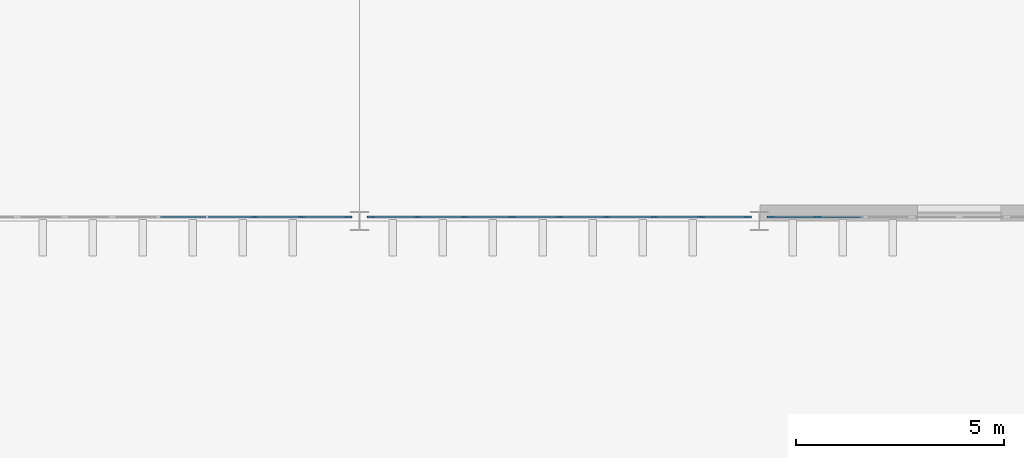
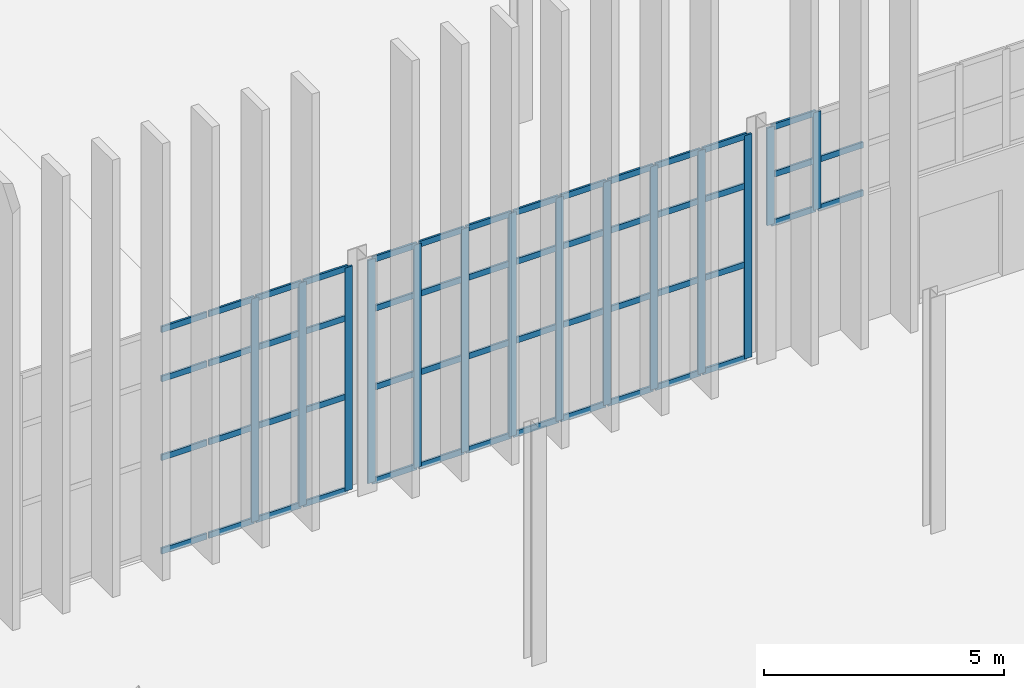
# One storey, part 39 of 139: 67 members, 3 elements without a shape of their own.
"""IFC4 building model written with IfcOpenShell, lengths in metres."""

from ifc_helpers import new_model, si_unit, direction, frame, origin, origin_2d, place, context, subcontext, project, spatial, rectangle, extrude, material, layer, layer_set, material_profile, profile_set, type_object, element, aggregate, save


model = new_model("IFC4")

# Units and contexts
model_context = context("Model", 3, precision=1e-05, world=origin(), true_north=direction((0.0, 1.0)))
body_context = subcontext(model_context, "Body", "Model", "MODEL_VIEW")
ifc_project = project(units=[si_unit("LENGTHUNIT", "METRE"), si_unit("AREAUNIT", "SQUARE_METRE"), si_unit("VOLUMEUNIT", "CUBIC_METRE"), si_unit("PLANEANGLEUNIT", "RADIAN"), si_unit("MASSUNIT", "GRAM", prefix="KILO")], contexts=[model_context])

# Site, building, storey
site_placement = place(None, origin())
site = spatial("IfcSite", under=ifc_project, at=site_placement, CompositionType="ELEMENT")
building_placement = place(site_placement, origin())
building = spatial("IfcBuilding", under=site, at=building_placement, Name="Yeouljin Market Hall", CompositionType="ELEMENT")
storey_placement = place(building_placement, origin())
storey = spatial("IfcBuildingStorey", under=building, at=storey_placement, Name="L00", CompositionType="ELEMENT", Elevation=0.0)

# Curtain wall, members
ifc_material_1 = material(Name="Thermally Broken Aluminium", Category="aluminium")
ifc_layer = layer(ifc_material_1, 0.179931640625)
ifc_layer_set = layer_set([ifc_layer], Name="Thermally Broken Aluminium")
curtain_wall_type = type_object("IfcCurtainWallType", Name="CW_HallNave_System", PredefinedType="USERDEFINED", material=ifc_layer_set)
curtain_wall_1_placement = place(storey_placement, origin())
curtain_wall_1 = element("IfcCurtainWall", 1, at=curtain_wall_1_placement, inside=storey, type_object=curtain_wall_type, Name="Curtain wall CW-V1S-L00-08", ObjectType="CURTAIN WALL", PredefinedType="USERDEFINED")
ifc_material_2 = material(Name="Thermally Broken Aluminium", Category="aluminium")
ifc_material_profile_1 = material_profile(ifc_material_2, rectangle(XDim=0.048095703125, YDim=0.179931640625, at=origin_2d()), Name="CW-MULL-48x180")
ifc_profile_set_1 = profile_set([ifc_material_profile_1], Name="Thermally Broken Aluminium")
member_type_1 = type_object("IfcMemberType", Name="CWMullion_48x180", PredefinedType="MULLION", material=ifc_profile_set_1)
member_1_placement = place(storey_placement, frame((111.926025390625, 36.10009765625, 0.0), z_axis=(0.0, 0.0, 1.0), x_axis=(0.0, -1.0, 0.0)))
member_1 = element("IfcMember", 2, at=member_1_placement, type_object=member_type_1, Name="CW-01 mullion 1", PredefinedType="MULLION", context=body_context, shape_type="SweptSolid", body=[
    extrude(rectangle(XDim=0.048095703125, YDim=0.179931640625, at=origin_2d()), origin(), (0.0, 0.0, 1.0), 5.679931640625),
])
member_2_placement = place(storey_placement, frame((110.8125, 36.10009765625, 0.0), z_axis=(0.0, 0.0, 1.0), x_axis=(0.0, -1.0, 0.0)))
member_2 = element("IfcMember", 3, at=member_2_placement, type_object=member_type_1, Name="CW-01 mullion 2", PredefinedType="MULLION", context=body_context, shape_type="SweptSolid", body=[
    extrude(rectangle(XDim=0.048095703125, YDim=0.179931640625, at=origin_2d()), origin(), (0.0, 0.0, 1.0), 5.679931640625),
])
member_3_placement = place(storey_placement, frame((109.675048828125, 36.10009765625, 0.0), z_axis=(0.0, 0.0, 1.0), x_axis=(0.0, -1.0, 0.0)))
member_3 = element("IfcMember", 4, at=member_3_placement, type_object=member_type_1, Name="CW-01 mullion 3", PredefinedType="MULLION", context=body_context, shape_type="SweptSolid", body=[
    extrude(rectangle(XDim=0.048095703125, YDim=0.179931640625, at=origin_2d()), origin(), (0.0, 0.0, 1.0), 5.679931640625),
])

curtain_wall_2_placement = place(storey_placement, origin())
curtain_wall_2 = element("IfcCurtainWall", 5, at=curtain_wall_2_placement, inside=storey, type_object=curtain_wall_type, Name="Curtain wall CW-V1S-L00-09", ObjectType="CURTAIN WALL", PredefinedType="USERDEFINED")
member_4_placement = place(storey_placement, frame((121.52587890625, 36.10009765625, 0.0), z_axis=(0.0, 0.0, 1.0), x_axis=(0.0, -1.0, 0.0)))
member_4 = element("IfcMember", 6, at=member_4_placement, type_object=member_type_1, Name="CW-01 mullion 1", PredefinedType="MULLION", context=body_context, shape_type="SweptSolid", body=[
    extrude(rectangle(XDim=0.048095703125, YDim=0.179931640625, at=origin_2d()), origin(), (0.0, 0.0, 1.0), 5.679931640625),
])
member_5_placement = place(storey_placement, frame((120.41259765625, 36.10009765625, 0.0), z_axis=(0.0, 0.0, 1.0), x_axis=(0.0, -1.0, 0.0)))
member_5 = element("IfcMember", 7, at=member_5_placement, type_object=member_type_1, Name="CW-01 mullion 2", PredefinedType="MULLION", context=body_context, shape_type="SweptSolid", body=[
    extrude(rectangle(XDim=0.048095703125, YDim=0.179931640625, at=origin_2d()), origin(), (0.0, 0.0, 1.0), 5.679931640625),
])
member_6_placement = place(storey_placement, frame((119.27490234375, 36.10009765625, 0.0), z_axis=(0.0, 0.0, 1.0), x_axis=(0.0, -1.0, 0.0)))
member_6 = element("IfcMember", 8, at=member_6_placement, type_object=member_type_1, Name="CW-01 mullion 3", PredefinedType="MULLION", context=body_context, shape_type="SweptSolid", body=[
    extrude(rectangle(XDim=0.048095703125, YDim=0.179931640625, at=origin_2d()), origin(), (0.0, 0.0, 1.0), 5.679931640625),
])
member_7_placement = place(storey_placement, frame((118.137451171875, 36.10009765625, 0.0), z_axis=(0.0, 0.0, 1.0), x_axis=(0.0, -1.0, 0.0)))
member_7 = element("IfcMember", 9, at=member_7_placement, type_object=member_type_1, Name="CW-01 mullion 4", PredefinedType="MULLION", context=body_context, shape_type="SweptSolid", body=[
    extrude(rectangle(XDim=0.048095703125, YDim=0.179931640625, at=origin_2d()), origin(), (0.0, 0.0, 1.0), 5.679931640625),
])
member_8_placement = place(storey_placement, frame((117.0, 36.10009765625, 0.0), z_axis=(0.0, 0.0, 1.0), x_axis=(0.0, -1.0, 0.0)))
member_8 = element("IfcMember", 10, at=member_8_placement, type_object=member_type_1, Name="CW-01 mullion 5", PredefinedType="MULLION", context=body_context, shape_type="SweptSolid", body=[
    extrude(rectangle(XDim=0.048095703125, YDim=0.179931640625, at=origin_2d()), origin(), (0.0, 0.0, 1.0), 5.679931640625),
])
member_9_placement = place(storey_placement, frame((115.862548828125, 36.10009765625, 0.0), z_axis=(0.0, 0.0, 1.0), x_axis=(0.0, -1.0, 0.0)))
member_9 = element("IfcMember", 11, at=member_9_placement, type_object=member_type_1, Name="CW-01 mullion 6", PredefinedType="MULLION", context=body_context, shape_type="SweptSolid", body=[
    extrude(rectangle(XDim=0.048095703125, YDim=0.179931640625, at=origin_2d()), origin(), (0.0, 0.0, 1.0), 5.679931640625),
])
member_10_placement = place(storey_placement, frame((114.72509765625, 36.10009765625, 0.0), z_axis=(0.0, 0.0, 1.0), x_axis=(0.0, -1.0, 0.0)))
member_10 = element("IfcMember", 12, at=member_10_placement, type_object=member_type_1, Name="CW-01 mullion 7", PredefinedType="MULLION", context=body_context, shape_type="SweptSolid", body=[
    extrude(rectangle(XDim=0.048095703125, YDim=0.179931640625, at=origin_2d()), origin(), (0.0, 0.0, 1.0), 5.679931640625),
])
member_11_placement = place(storey_placement, frame((113.58740234375, 36.10009765625, 0.0), z_axis=(0.0, 0.0, 1.0), x_axis=(0.0, -1.0, 0.0)))
member_11 = element("IfcMember", 13, at=member_11_placement, type_object=member_type_1, Name="CW-01 mullion 8", PredefinedType="MULLION", context=body_context, shape_type="SweptSolid", body=[
    extrude(rectangle(XDim=0.048095703125, YDim=0.179931640625, at=origin_2d()), origin(), (0.0, 0.0, 1.0), 5.679931640625),
])
member_12_placement = place(storey_placement, frame((112.47412109375, 36.10009765625, 0.0), z_axis=(0.0, 0.0, 1.0), x_axis=(0.0, -1.0, 0.0)))
member_12 = element("IfcMember", 14, at=member_12_placement, type_object=member_type_1, Name="CW-01 mullion 9", PredefinedType="MULLION", context=body_context, shape_type="SweptSolid", body=[
    extrude(rectangle(XDim=0.048095703125, YDim=0.179931640625, at=origin_2d()), origin(), (0.0, 0.0, 1.0), 5.679931640625),
])

curtain_wall_3_placement = place(storey_placement, origin())
curtain_wall_3 = element("IfcCurtainWall", 15, at=curtain_wall_3_placement, inside=storey, type_object=curtain_wall_type, Name="Curtain wall CW-V1S-L00-10", ObjectType="CURTAIN WALL", PredefinedType="USERDEFINED")
member_13_placement = place(storey_placement, frame((123.1875, 36.10009765625, 3.199951171875), z_axis=(0.0, 0.0, 1.0), x_axis=(0.0, -1.0, 0.0)))
member_13 = element("IfcMember", 16, at=member_13_placement, type_object=member_type_1, Name="CW-01 mullion 8", PredefinedType="MULLION", context=body_context, shape_type="SweptSolid", body=[
    extrude(rectangle(XDim=0.048095703125, YDim=0.179931640625, at=origin_2d()), origin(), (0.0, 0.0, 1.0), 2.47998046875),
])
member_14_placement = place(storey_placement, frame((122.073974609375, 36.10009765625, 3.199951171875), z_axis=(0.0, 0.0, 1.0), x_axis=(0.0, -1.0, 0.0)))
member_14 = element("IfcMember", 17, at=member_14_placement, type_object=member_type_1, Name="CW-01 mullion 9", PredefinedType="MULLION", context=body_context, shape_type="SweptSolid", body=[
    extrude(rectangle(XDim=0.048095703125, YDim=0.179931640625, at=origin_2d()), origin(), (0.0, 0.0, 1.0), 2.47998046875),
])

# Member
ifc_material_3 = material(Name="Thermally Broken Aluminium", Category="aluminium")
ifc_material_profile_2 = material_profile(ifc_material_3, rectangle(XDim=0.048095703125, YDim=0.14990234375, at=origin_2d()), Name="CW-TRAN-48x150")
ifc_profile_set_2 = profile_set([ifc_material_profile_2], Name="Thermally Broken Aluminium")
member_type_2 = type_object("IfcMemberType", Name="CWTransom_48x150", PredefinedType="USERDEFINED", material=ifc_profile_set_2)
member_15_placement = place(storey_placement, frame((111.902099609375, 36.10009765625, 0.02392578125), z_axis=(-1.0, 0.0, 0.0), x_axis=(0.0, -1.0, 0.0)))
member_15 = element("IfcMember", 18, at=member_15_placement, type_object=member_type_2, Name="CW-01 transom 1.1", ObjectType="TRANSOM", PredefinedType="USERDEFINED", context=body_context, shape_type="SweptSolid", body=[
    extrude(rectangle(XDim=0.048095703125, YDim=0.14990234375, at=origin_2d()), origin(), (0.0, 0.0, 1.0), 1.065673828125),
])

member_16_placement = place(storey_placement, frame((111.902099609375, 36.10009765625, 2.39990234375), z_axis=(-1.0, 0.0, 0.0), x_axis=(0.0, -1.0, 0.0)))
member_16 = element("IfcMember", 19, at=member_16_placement, type_object=member_type_2, Name="CW-01 transom 1.2", ObjectType="TRANSOM", PredefinedType="USERDEFINED", context=body_context, shape_type="SweptSolid", body=[
    extrude(rectangle(XDim=0.048095703125, YDim=0.14990234375, at=origin_2d()), origin(), (0.0, 0.0, 1.0), 1.065673828125),
])

member_17_placement = place(storey_placement, frame((111.902099609375, 36.10009765625, 4.39990234375), z_axis=(-1.0, 0.0, 0.0), x_axis=(0.0, -1.0, 0.0)))
member_17 = element("IfcMember", 20, at=member_17_placement, type_object=member_type_2, Name="CW-01 transom 1.3", ObjectType="TRANSOM", PredefinedType="USERDEFINED", context=body_context, shape_type="SweptSolid", body=[
    extrude(rectangle(XDim=0.048095703125, YDim=0.14990234375, at=origin_2d()), origin(), (0.0, 0.0, 1.0), 1.065673828125),
])

member_18_placement = place(storey_placement, frame((111.902099609375, 36.10009765625, 5.656005859375), z_axis=(-1.0, 0.0, 0.0), x_axis=(0.0, -1.0, 0.0)))
member_18 = element("IfcMember", 21, at=member_18_placement, type_object=member_type_2, Name="CW-01 transom 1.4", ObjectType="TRANSOM", PredefinedType="USERDEFINED", context=body_context, shape_type="SweptSolid", body=[
    extrude(rectangle(XDim=0.048095703125, YDim=0.14990234375, at=origin_2d()), origin(), (0.0, 0.0, 1.0), 1.065673828125),
])

member_19_placement = place(storey_placement, frame((110.78857421875, 36.10009765625, 0.02392578125), z_axis=(-1.0, 0.0, 0.0), x_axis=(0.0, -1.0, 0.0)))
member_19 = element("IfcMember", 22, at=member_19_placement, type_object=member_type_2, Name="CW-01 transom 2.1", ObjectType="TRANSOM", PredefinedType="USERDEFINED", context=body_context, shape_type="SweptSolid", body=[
    extrude(rectangle(XDim=0.048095703125, YDim=0.14990234375, at=origin_2d()), origin(), (0.0, 0.0, 1.0), 1.089599609375),
])

member_20_placement = place(storey_placement, frame((110.78857421875, 36.10009765625, 2.39990234375), z_axis=(-1.0, 0.0, 0.0), x_axis=(0.0, -1.0, 0.0)))
member_20 = element("IfcMember", 23, at=member_20_placement, type_object=member_type_2, Name="CW-01 transom 2.2", ObjectType="TRANSOM", PredefinedType="USERDEFINED", context=body_context, shape_type="SweptSolid", body=[
    extrude(rectangle(XDim=0.048095703125, YDim=0.14990234375, at=origin_2d()), origin(), (0.0, 0.0, 1.0), 1.089599609375),
])

member_21_placement = place(storey_placement, frame((110.78857421875, 36.10009765625, 4.39990234375), z_axis=(-1.0, 0.0, 0.0), x_axis=(0.0, -1.0, 0.0)))
member_21 = element("IfcMember", 24, at=member_21_placement, type_object=member_type_2, Name="CW-01 transom 2.3", ObjectType="TRANSOM", PredefinedType="USERDEFINED", context=body_context, shape_type="SweptSolid", body=[
    extrude(rectangle(XDim=0.048095703125, YDim=0.14990234375, at=origin_2d()), origin(), (0.0, 0.0, 1.0), 1.089599609375),
])

member_22_placement = place(storey_placement, frame((110.78857421875, 36.10009765625, 5.656005859375), z_axis=(-1.0, 0.0, 0.0), x_axis=(0.0, -1.0, 0.0)))
member_22 = element("IfcMember", 25, at=member_22_placement, type_object=member_type_2, Name="CW-01 transom 2.4", ObjectType="TRANSOM", PredefinedType="USERDEFINED", context=body_context, shape_type="SweptSolid", body=[
    extrude(rectangle(XDim=0.048095703125, YDim=0.14990234375, at=origin_2d()), origin(), (0.0, 0.0, 1.0), 1.089599609375),
])

member_23_placement = place(storey_placement, frame((109.65087890625, 36.10009765625, 0.02392578125), z_axis=(-1.0, 0.0, 0.0), x_axis=(0.0, -1.0, 0.0)))
member_23 = element("IfcMember", 26, at=member_23_placement, type_object=member_type_2, Name="CW-01 transom 3.1", ObjectType="TRANSOM", PredefinedType="USERDEFINED", context=body_context, shape_type="SweptSolid", body=[
    extrude(rectangle(XDim=0.048095703125, YDim=0.14990234375, at=origin_2d()), origin(), (0.0, 0.0, 1.0), 1.08935546875),
])

member_24_placement = place(storey_placement, frame((109.65087890625, 36.10009765625, 2.39990234375), z_axis=(-1.0, 0.0, 0.0), x_axis=(0.0, -1.0, 0.0)))
member_24 = element("IfcMember", 27, at=member_24_placement, type_object=member_type_2, Name="CW-01 transom 3.2", ObjectType="TRANSOM", PredefinedType="USERDEFINED", context=body_context, shape_type="SweptSolid", body=[
    extrude(rectangle(XDim=0.048095703125, YDim=0.14990234375, at=origin_2d()), origin(), (0.0, 0.0, 1.0), 1.08935546875),
])

member_25_placement = place(storey_placement, frame((109.65087890625, 36.10009765625, 4.39990234375), z_axis=(-1.0, 0.0, 0.0), x_axis=(0.0, -1.0, 0.0)))
member_25 = element("IfcMember", 28, at=member_25_placement, type_object=member_type_2, Name="CW-01 transom 3.3", ObjectType="TRANSOM", PredefinedType="USERDEFINED", context=body_context, shape_type="SweptSolid", body=[
    extrude(rectangle(XDim=0.048095703125, YDim=0.14990234375, at=origin_2d()), origin(), (0.0, 0.0, 1.0), 1.08935546875),
])

member_26_placement = place(storey_placement, frame((109.65087890625, 36.10009765625, 5.656005859375), z_axis=(-1.0, 0.0, 0.0), x_axis=(0.0, -1.0, 0.0)))
member_26 = element("IfcMember", 29, at=member_26_placement, type_object=member_type_2, Name="CW-01 transom 3.4", ObjectType="TRANSOM", PredefinedType="USERDEFINED", context=body_context, shape_type="SweptSolid", body=[
    extrude(rectangle(XDim=0.048095703125, YDim=0.14990234375, at=origin_2d()), origin(), (0.0, 0.0, 1.0), 1.08935546875),
])

member_27_placement = place(storey_placement, frame((108.513427734375, 36.10009765625, 0.02392578125), z_axis=(-1.0, 0.0, 0.0), x_axis=(0.0, -1.0, 0.0)))
member_27 = element("IfcMember", 30, at=member_27_placement, type_object=member_type_2, Name="CW-01 transom 4.1", ObjectType="TRANSOM", PredefinedType="USERDEFINED", context=body_context, shape_type="SweptSolid", body=[
    extrude(rectangle(XDim=0.048095703125, YDim=0.14990234375, at=origin_2d()), origin(), (0.0, 0.0, 1.0), 1.08935546875),
])

member_28_placement = place(storey_placement, frame((108.513427734375, 36.10009765625, 2.39990234375), z_axis=(-1.0, 0.0, 0.0), x_axis=(0.0, -1.0, 0.0)))
member_28 = element("IfcMember", 31, at=member_28_placement, type_object=member_type_2, Name="CW-01 transom 4.2", ObjectType="TRANSOM", PredefinedType="USERDEFINED", context=body_context, shape_type="SweptSolid", body=[
    extrude(rectangle(XDim=0.048095703125, YDim=0.14990234375, at=origin_2d()), origin(), (0.0, 0.0, 1.0), 1.08935546875),
])

member_29_placement = place(storey_placement, frame((108.513427734375, 36.10009765625, 4.39990234375), z_axis=(-1.0, 0.0, 0.0), x_axis=(0.0, -1.0, 0.0)))
member_29 = element("IfcMember", 32, at=member_29_placement, type_object=member_type_2, Name="CW-01 transom 4.3", ObjectType="TRANSOM", PredefinedType="USERDEFINED", context=body_context, shape_type="SweptSolid", body=[
    extrude(rectangle(XDim=0.048095703125, YDim=0.14990234375, at=origin_2d()), origin(), (0.0, 0.0, 1.0), 1.08935546875),
])

member_30_placement = place(storey_placement, frame((108.513427734375, 36.10009765625, 5.656005859375), z_axis=(-1.0, 0.0, 0.0), x_axis=(0.0, -1.0, 0.0)))
member_30 = element("IfcMember", 33, at=member_30_placement, type_object=member_type_2, Name="CW-01 transom 4.4", ObjectType="TRANSOM", PredefinedType="USERDEFINED", context=body_context, shape_type="SweptSolid", body=[
    extrude(rectangle(XDim=0.048095703125, YDim=0.14990234375, at=origin_2d()), origin(), (0.0, 0.0, 1.0), 1.08935546875),
])

aggregate(curtain_wall_1, [member_1, member_2, member_3, member_15, member_16, member_17, member_18, member_19, member_20, member_21, member_22, member_23, member_24, member_25, member_26, member_27, member_28, member_29, member_30])

member_31_placement = place(storey_placement, frame((121.501953125, 36.10009765625, 0.02392578125), z_axis=(-1.0, 0.0, 0.0), x_axis=(0.0, -1.0, 0.0)))
member_31 = element("IfcMember", 34, at=member_31_placement, type_object=member_type_2, Name="CW-01 transom 1.1", ObjectType="TRANSOM", PredefinedType="USERDEFINED", context=body_context, shape_type="SweptSolid", body=[
    extrude(rectangle(XDim=0.048095703125, YDim=0.14990234375, at=origin_2d()), origin(), (0.0, 0.0, 1.0), 1.0654296875),
])

member_32_placement = place(storey_placement, frame((121.501953125, 36.10009765625, 2.39990234375), z_axis=(-1.0, 0.0, 0.0), x_axis=(0.0, -1.0, 0.0)))
member_32 = element("IfcMember", 35, at=member_32_placement, type_object=member_type_2, Name="CW-01 transom 1.2", ObjectType="TRANSOM", PredefinedType="USERDEFINED", context=body_context, shape_type="SweptSolid", body=[
    extrude(rectangle(XDim=0.048095703125, YDim=0.14990234375, at=origin_2d()), origin(), (0.0, 0.0, 1.0), 1.0654296875),
])

member_33_placement = place(storey_placement, frame((121.501953125, 36.10009765625, 4.39990234375), z_axis=(-1.0, 0.0, 0.0), x_axis=(0.0, -1.0, 0.0)))
member_33 = element("IfcMember", 36, at=member_33_placement, type_object=member_type_2, Name="CW-01 transom 1.3", ObjectType="TRANSOM", PredefinedType="USERDEFINED", context=body_context, shape_type="SweptSolid", body=[
    extrude(rectangle(XDim=0.048095703125, YDim=0.14990234375, at=origin_2d()), origin(), (0.0, 0.0, 1.0), 1.0654296875),
])

member_34_placement = place(storey_placement, frame((121.501953125, 36.10009765625, 5.656005859375), z_axis=(-1.0, 0.0, 0.0), x_axis=(0.0, -1.0, 0.0)))
member_34 = element("IfcMember", 37, at=member_34_placement, type_object=member_type_2, Name="CW-01 transom 1.4", ObjectType="TRANSOM", PredefinedType="USERDEFINED", context=body_context, shape_type="SweptSolid", body=[
    extrude(rectangle(XDim=0.048095703125, YDim=0.14990234375, at=origin_2d()), origin(), (0.0, 0.0, 1.0), 1.0654296875),
])

member_35_placement = place(storey_placement, frame((120.388427734375, 36.10009765625, 0.02392578125), z_axis=(-1.0, 0.0, 0.0), x_axis=(0.0, -1.0, 0.0)))
member_35 = element("IfcMember", 38, at=member_35_placement, type_object=member_type_2, Name="CW-01 transom 2.1", ObjectType="TRANSOM", PredefinedType="USERDEFINED", context=body_context, shape_type="SweptSolid", body=[
    extrude(rectangle(XDim=0.048095703125, YDim=0.14990234375, at=origin_2d()), origin(), (0.0, 0.0, 1.0), 1.08935546875),
])

member_36_placement = place(storey_placement, frame((120.388427734375, 36.10009765625, 2.39990234375), z_axis=(-1.0, 0.0, 0.0), x_axis=(0.0, -1.0, 0.0)))
member_36 = element("IfcMember", 39, at=member_36_placement, type_object=member_type_2, Name="CW-01 transom 2.2", ObjectType="TRANSOM", PredefinedType="USERDEFINED", context=body_context, shape_type="SweptSolid", body=[
    extrude(rectangle(XDim=0.048095703125, YDim=0.14990234375, at=origin_2d()), origin(), (0.0, 0.0, 1.0), 1.08935546875),
])

member_37_placement = place(storey_placement, frame((120.388427734375, 36.10009765625, 4.39990234375), z_axis=(-1.0, 0.0, 0.0), x_axis=(0.0, -1.0, 0.0)))
member_37 = element("IfcMember", 40, at=member_37_placement, type_object=member_type_2, Name="CW-01 transom 2.3", ObjectType="TRANSOM", PredefinedType="USERDEFINED", context=body_context, shape_type="SweptSolid", body=[
    extrude(rectangle(XDim=0.048095703125, YDim=0.14990234375, at=origin_2d()), origin(), (0.0, 0.0, 1.0), 1.08935546875),
])

member_38_placement = place(storey_placement, frame((120.388427734375, 36.10009765625, 5.656005859375), z_axis=(-1.0, 0.0, 0.0), x_axis=(0.0, -1.0, 0.0)))
member_38 = element("IfcMember", 41, at=member_38_placement, type_object=member_type_2, Name="CW-01 transom 2.4", ObjectType="TRANSOM", PredefinedType="USERDEFINED", context=body_context, shape_type="SweptSolid", body=[
    extrude(rectangle(XDim=0.048095703125, YDim=0.14990234375, at=origin_2d()), origin(), (0.0, 0.0, 1.0), 1.08935546875),
])

member_39_placement = place(storey_placement, frame((119.2509765625, 36.10009765625, 0.02392578125), z_axis=(-1.0, 0.0, 0.0), x_axis=(0.0, -1.0, 0.0)))
member_39 = element("IfcMember", 42, at=member_39_placement, type_object=member_type_2, Name="CW-01 transom 3.1", ObjectType="TRANSOM", PredefinedType="USERDEFINED", context=body_context, shape_type="SweptSolid", body=[
    extrude(rectangle(XDim=0.048095703125, YDim=0.14990234375, at=origin_2d()), origin(), (0.0, 0.0, 1.0), 1.08935546875),
])

member_40_placement = place(storey_placement, frame((119.2509765625, 36.10009765625, 2.39990234375), z_axis=(-1.0, 0.0, 0.0), x_axis=(0.0, -1.0, 0.0)))
member_40 = element("IfcMember", 43, at=member_40_placement, type_object=member_type_2, Name="CW-01 transom 3.2", ObjectType="TRANSOM", PredefinedType="USERDEFINED", context=body_context, shape_type="SweptSolid", body=[
    extrude(rectangle(XDim=0.048095703125, YDim=0.14990234375, at=origin_2d()), origin(), (0.0, 0.0, 1.0), 1.08935546875),
])

member_41_placement = place(storey_placement, frame((119.2509765625, 36.10009765625, 4.39990234375), z_axis=(-1.0, 0.0, 0.0), x_axis=(0.0, -1.0, 0.0)))
member_41 = element("IfcMember", 44, at=member_41_placement, type_object=member_type_2, Name="CW-01 transom 3.3", ObjectType="TRANSOM", PredefinedType="USERDEFINED", context=body_context, shape_type="SweptSolid", body=[
    extrude(rectangle(XDim=0.048095703125, YDim=0.14990234375, at=origin_2d()), origin(), (0.0, 0.0, 1.0), 1.08935546875),
])

member_42_placement = place(storey_placement, frame((119.2509765625, 36.10009765625, 5.656005859375), z_axis=(-1.0, 0.0, 0.0), x_axis=(0.0, -1.0, 0.0)))
member_42 = element("IfcMember", 45, at=member_42_placement, type_object=member_type_2, Name="CW-01 transom 3.4", ObjectType="TRANSOM", PredefinedType="USERDEFINED", context=body_context, shape_type="SweptSolid", body=[
    extrude(rectangle(XDim=0.048095703125, YDim=0.14990234375, at=origin_2d()), origin(), (0.0, 0.0, 1.0), 1.08935546875),
])

member_43_placement = place(storey_placement, frame((118.113525390625, 36.10009765625, 0.02392578125), z_axis=(-1.0, 0.0, 0.0), x_axis=(0.0, -1.0, 0.0)))
member_43 = element("IfcMember", 46, at=member_43_placement, type_object=member_type_2, Name="CW-01 transom 4.1", ObjectType="TRANSOM", PredefinedType="USERDEFINED", context=body_context, shape_type="SweptSolid", body=[
    extrude(rectangle(XDim=0.048095703125, YDim=0.14990234375, at=origin_2d()), origin(), (0.0, 0.0, 1.0), 1.089599609375),
])

member_44_placement = place(storey_placement, frame((118.113525390625, 36.10009765625, 2.39990234375), z_axis=(-1.0, 0.0, 0.0), x_axis=(0.0, -1.0, 0.0)))
member_44 = element("IfcMember", 47, at=member_44_placement, type_object=member_type_2, Name="CW-01 transom 4.2", ObjectType="TRANSOM", PredefinedType="USERDEFINED", context=body_context, shape_type="SweptSolid", body=[
    extrude(rectangle(XDim=0.048095703125, YDim=0.14990234375, at=origin_2d()), origin(), (0.0, 0.0, 1.0), 1.089599609375),
])

member_45_placement = place(storey_placement, frame((118.113525390625, 36.10009765625, 4.39990234375), z_axis=(-1.0, 0.0, 0.0), x_axis=(0.0, -1.0, 0.0)))
member_45 = element("IfcMember", 48, at=member_45_placement, type_object=member_type_2, Name="CW-01 transom 4.3", ObjectType="TRANSOM", PredefinedType="USERDEFINED", context=body_context, shape_type="SweptSolid", body=[
    extrude(rectangle(XDim=0.048095703125, YDim=0.14990234375, at=origin_2d()), origin(), (0.0, 0.0, 1.0), 1.089599609375),
])

member_46_placement = place(storey_placement, frame((118.113525390625, 36.10009765625, 5.656005859375), z_axis=(-1.0, 0.0, 0.0), x_axis=(0.0, -1.0, 0.0)))
member_46 = element("IfcMember", 49, at=member_46_placement, type_object=member_type_2, Name="CW-01 transom 4.4", ObjectType="TRANSOM", PredefinedType="USERDEFINED", context=body_context, shape_type="SweptSolid", body=[
    extrude(rectangle(XDim=0.048095703125, YDim=0.14990234375, at=origin_2d()), origin(), (0.0, 0.0, 1.0), 1.089599609375),
])

member_47_placement = place(storey_placement, frame((116.97607421875, 36.10009765625, 0.02392578125), z_axis=(-1.0, 0.0, 0.0), x_axis=(0.0, -1.0, 0.0)))
member_47 = element("IfcMember", 50, at=member_47_placement, type_object=member_type_2, Name="CW-01 transom 5.1", ObjectType="TRANSOM", PredefinedType="USERDEFINED", context=body_context, shape_type="SweptSolid", body=[
    extrude(rectangle(XDim=0.048095703125, YDim=0.14990234375, at=origin_2d()), origin(), (0.0, 0.0, 1.0), 1.089599609375),
])

member_48_placement = place(storey_placement, frame((116.97607421875, 36.10009765625, 2.39990234375), z_axis=(-1.0, 0.0, 0.0), x_axis=(0.0, -1.0, 0.0)))
member_48 = element("IfcMember", 51, at=member_48_placement, type_object=member_type_2, Name="CW-01 transom 5.2", ObjectType="TRANSOM", PredefinedType="USERDEFINED", context=body_context, shape_type="SweptSolid", body=[
    extrude(rectangle(XDim=0.048095703125, YDim=0.14990234375, at=origin_2d()), origin(), (0.0, 0.0, 1.0), 1.089599609375),
])

member_49_placement = place(storey_placement, frame((116.97607421875, 36.10009765625, 4.39990234375), z_axis=(-1.0, 0.0, 0.0), x_axis=(0.0, -1.0, 0.0)))
member_49 = element("IfcMember", 52, at=member_49_placement, type_object=member_type_2, Name="CW-01 transom 5.3", ObjectType="TRANSOM", PredefinedType="USERDEFINED", context=body_context, shape_type="SweptSolid", body=[
    extrude(rectangle(XDim=0.048095703125, YDim=0.14990234375, at=origin_2d()), origin(), (0.0, 0.0, 1.0), 1.089599609375),
])

member_50_placement = place(storey_placement, frame((116.97607421875, 36.10009765625, 5.656005859375), z_axis=(-1.0, 0.0, 0.0), x_axis=(0.0, -1.0, 0.0)))
member_50 = element("IfcMember", 53, at=member_50_placement, type_object=member_type_2, Name="CW-01 transom 5.4", ObjectType="TRANSOM", PredefinedType="USERDEFINED", context=body_context, shape_type="SweptSolid", body=[
    extrude(rectangle(XDim=0.048095703125, YDim=0.14990234375, at=origin_2d()), origin(), (0.0, 0.0, 1.0), 1.089599609375),
])

member_51_placement = place(storey_placement, frame((115.83837890625, 36.10009765625, 0.02392578125), z_axis=(-1.0, 0.0, 0.0), x_axis=(0.0, -1.0, 0.0)))
member_51 = element("IfcMember", 54, at=member_51_placement, type_object=member_type_2, Name="CW-01 transom 6.1", ObjectType="TRANSOM", PredefinedType="USERDEFINED", context=body_context, shape_type="SweptSolid", body=[
    extrude(rectangle(XDim=0.048095703125, YDim=0.14990234375, at=origin_2d()), origin(), (0.0, 0.0, 1.0), 1.08935546875),
])

member_52_placement = place(storey_placement, frame((115.83837890625, 36.10009765625, 2.39990234375), z_axis=(-1.0, 0.0, 0.0), x_axis=(0.0, -1.0, 0.0)))
member_52 = element("IfcMember", 55, at=member_52_placement, type_object=member_type_2, Name="CW-01 transom 6.2", ObjectType="TRANSOM", PredefinedType="USERDEFINED", context=body_context, shape_type="SweptSolid", body=[
    extrude(rectangle(XDim=0.048095703125, YDim=0.14990234375, at=origin_2d()), origin(), (0.0, 0.0, 1.0), 1.08935546875),
])

member_53_placement = place(storey_placement, frame((115.83837890625, 36.10009765625, 4.39990234375), z_axis=(-1.0, 0.0, 0.0), x_axis=(0.0, -1.0, 0.0)))
member_53 = element("IfcMember", 56, at=member_53_placement, type_object=member_type_2, Name="CW-01 transom 6.3", ObjectType="TRANSOM", PredefinedType="USERDEFINED", context=body_context, shape_type="SweptSolid", body=[
    extrude(rectangle(XDim=0.048095703125, YDim=0.14990234375, at=origin_2d()), origin(), (0.0, 0.0, 1.0), 1.08935546875),
])

member_54_placement = place(storey_placement, frame((115.83837890625, 36.10009765625, 5.656005859375), z_axis=(-1.0, 0.0, 0.0), x_axis=(0.0, -1.0, 0.0)))
member_54 = element("IfcMember", 57, at=member_54_placement, type_object=member_type_2, Name="CW-01 transom 6.4", ObjectType="TRANSOM", PredefinedType="USERDEFINED", context=body_context, shape_type="SweptSolid", body=[
    extrude(rectangle(XDim=0.048095703125, YDim=0.14990234375, at=origin_2d()), origin(), (0.0, 0.0, 1.0), 1.08935546875),
])

member_55_placement = place(storey_placement, frame((114.700927734375, 36.10009765625, 0.02392578125), z_axis=(-1.0, 0.0, 0.0), x_axis=(0.0, -1.0, 0.0)))
member_55 = element("IfcMember", 58, at=member_55_placement, type_object=member_type_2, Name="CW-01 transom 7.1", ObjectType="TRANSOM", PredefinedType="USERDEFINED", context=body_context, shape_type="SweptSolid", body=[
    extrude(rectangle(XDim=0.048095703125, YDim=0.14990234375, at=origin_2d()), origin(), (0.0, 0.0, 1.0), 1.08935546875),
])

member_56_placement = place(storey_placement, frame((114.700927734375, 36.10009765625, 2.39990234375), z_axis=(-1.0, 0.0, 0.0), x_axis=(0.0, -1.0, 0.0)))
member_56 = element("IfcMember", 59, at=member_56_placement, type_object=member_type_2, Name="CW-01 transom 7.2", ObjectType="TRANSOM", PredefinedType="USERDEFINED", context=body_context, shape_type="SweptSolid", body=[
    extrude(rectangle(XDim=0.048095703125, YDim=0.14990234375, at=origin_2d()), origin(), (0.0, 0.0, 1.0), 1.08935546875),
])

member_57_placement = place(storey_placement, frame((114.700927734375, 36.10009765625, 4.39990234375), z_axis=(-1.0, 0.0, 0.0), x_axis=(0.0, -1.0, 0.0)))
member_57 = element("IfcMember", 60, at=member_57_placement, type_object=member_type_2, Name="CW-01 transom 7.3", ObjectType="TRANSOM", PredefinedType="USERDEFINED", context=body_context, shape_type="SweptSolid", body=[
    extrude(rectangle(XDim=0.048095703125, YDim=0.14990234375, at=origin_2d()), origin(), (0.0, 0.0, 1.0), 1.08935546875),
])

member_58_placement = place(storey_placement, frame((114.700927734375, 36.10009765625, 5.656005859375), z_axis=(-1.0, 0.0, 0.0), x_axis=(0.0, -1.0, 0.0)))
member_58 = element("IfcMember", 61, at=member_58_placement, type_object=member_type_2, Name="CW-01 transom 7.4", ObjectType="TRANSOM", PredefinedType="USERDEFINED", context=body_context, shape_type="SweptSolid", body=[
    extrude(rectangle(XDim=0.048095703125, YDim=0.14990234375, at=origin_2d()), origin(), (0.0, 0.0, 1.0), 1.08935546875),
])

member_59_placement = place(storey_placement, frame((113.5634765625, 36.10009765625, 0.02392578125), z_axis=(-1.0, 0.0, 0.0), x_axis=(0.0, -1.0, 0.0)))
member_59 = element("IfcMember", 62, at=member_59_placement, type_object=member_type_2, Name="CW-01 transom 8.1", ObjectType="TRANSOM", PredefinedType="USERDEFINED", context=body_context, shape_type="SweptSolid", body=[
    extrude(rectangle(XDim=0.048095703125, YDim=0.14990234375, at=origin_2d()), origin(), (0.0, 0.0, 1.0), 1.0654296875),
])

member_60_placement = place(storey_placement, frame((113.5634765625, 36.10009765625, 2.39990234375), z_axis=(-1.0, 0.0, 0.0), x_axis=(0.0, -1.0, 0.0)))
member_60 = element("IfcMember", 63, at=member_60_placement, type_object=member_type_2, Name="CW-01 transom 8.2", ObjectType="TRANSOM", PredefinedType="USERDEFINED", context=body_context, shape_type="SweptSolid", body=[
    extrude(rectangle(XDim=0.048095703125, YDim=0.14990234375, at=origin_2d()), origin(), (0.0, 0.0, 1.0), 1.0654296875),
])

member_61_placement = place(storey_placement, frame((113.5634765625, 36.10009765625, 4.39990234375), z_axis=(-1.0, 0.0, 0.0), x_axis=(0.0, -1.0, 0.0)))
member_61 = element("IfcMember", 64, at=member_61_placement, type_object=member_type_2, Name="CW-01 transom 8.3", ObjectType="TRANSOM", PredefinedType="USERDEFINED", context=body_context, shape_type="SweptSolid", body=[
    extrude(rectangle(XDim=0.048095703125, YDim=0.14990234375, at=origin_2d()), origin(), (0.0, 0.0, 1.0), 1.0654296875),
])

member_62_placement = place(storey_placement, frame((113.5634765625, 36.10009765625, 5.656005859375), z_axis=(-1.0, 0.0, 0.0), x_axis=(0.0, -1.0, 0.0)))
member_62 = element("IfcMember", 65, at=member_62_placement, type_object=member_type_2, Name="CW-01 transom 8.4", ObjectType="TRANSOM", PredefinedType="USERDEFINED", context=body_context, shape_type="SweptSolid", body=[
    extrude(rectangle(XDim=0.048095703125, YDim=0.14990234375, at=origin_2d()), origin(), (0.0, 0.0, 1.0), 1.0654296875),
])

aggregate(curtain_wall_2, [member_4, member_5, member_6, member_7, member_8, member_9, member_10, member_11, member_12, member_31, member_32, member_33, member_34, member_35, member_36, member_37, member_38, member_39, member_40, member_41, member_42, member_43, member_44, member_45, member_46, member_47, member_48, member_49, member_50, member_51, member_52, member_53, member_54, member_55, member_56, member_57, member_58, member_59, member_60, member_61, member_62])

member_63_placement = place(storey_placement, frame((124.301025390625, 36.10009765625, 3.22412109375), z_axis=(-1.0, 0.0, 0.0), x_axis=(0.0, -1.0, 0.0)))
member_63 = element("IfcMember", 66, at=member_63_placement, type_object=member_type_2, Name="CW-01 transom 7.1", ObjectType="TRANSOM", PredefinedType="USERDEFINED", context=body_context, shape_type="SweptSolid", body=[
    extrude(rectangle(XDim=0.048095703125, YDim=0.14990234375, at=origin_2d()), origin(), (0.0, 0.0, 1.0), 1.089599609375),
])

member_64_placement = place(storey_placement, frame((124.301025390625, 36.10009765625, 4.449951171875), z_axis=(-1.0, 0.0, 0.0), x_axis=(0.0, -1.0, 0.0)))
member_64 = element("IfcMember", 67, at=member_64_placement, type_object=member_type_2, Name="CW-01 transom 7.2", ObjectType="TRANSOM", PredefinedType="USERDEFINED", context=body_context, shape_type="SweptSolid", body=[
    extrude(rectangle(XDim=0.048095703125, YDim=0.14990234375, at=origin_2d()), origin(), (0.0, 0.0, 1.0), 1.089599609375),
])

member_65_placement = place(storey_placement, frame((123.16357421875, 36.10009765625, 3.22412109375), z_axis=(-1.0, 0.0, 0.0), x_axis=(0.0, -1.0, 0.0)))
member_65 = element("IfcMember", 68, at=member_65_placement, type_object=member_type_2, Name="CW-01 transom 8.1", ObjectType="TRANSOM", PredefinedType="USERDEFINED", context=body_context, shape_type="SweptSolid", body=[
    extrude(rectangle(XDim=0.048095703125, YDim=0.14990234375, at=origin_2d()), origin(), (0.0, 0.0, 1.0), 1.065673828125),
])

member_66_placement = place(storey_placement, frame((123.16357421875, 36.10009765625, 4.449951171875), z_axis=(-1.0, 0.0, 0.0), x_axis=(0.0, -1.0, 0.0)))
member_66 = element("IfcMember", 69, at=member_66_placement, type_object=member_type_2, Name="CW-01 transom 8.2", ObjectType="TRANSOM", PredefinedType="USERDEFINED", context=body_context, shape_type="SweptSolid", body=[
    extrude(rectangle(XDim=0.048095703125, YDim=0.14990234375, at=origin_2d()), origin(), (0.0, 0.0, 1.0), 1.065673828125),
])

member_67_placement = place(storey_placement, frame((123.16357421875, 36.10009765625, 5.656005859375), z_axis=(-1.0, 0.0, 0.0), x_axis=(0.0, -1.0, 0.0)))
member_67 = element("IfcMember", 70, at=member_67_placement, type_object=member_type_2, Name="CW-01 transom 8.3", ObjectType="TRANSOM", PredefinedType="USERDEFINED", context=body_context, shape_type="SweptSolid", body=[
    extrude(rectangle(XDim=0.048095703125, YDim=0.14990234375, at=origin_2d()), origin(), (0.0, 0.0, 1.0), 1.065673828125),
])

aggregate(curtain_wall_3, [member_13, member_14, member_63, member_64, member_65, member_66, member_67])

save(model, "model.ifc")
